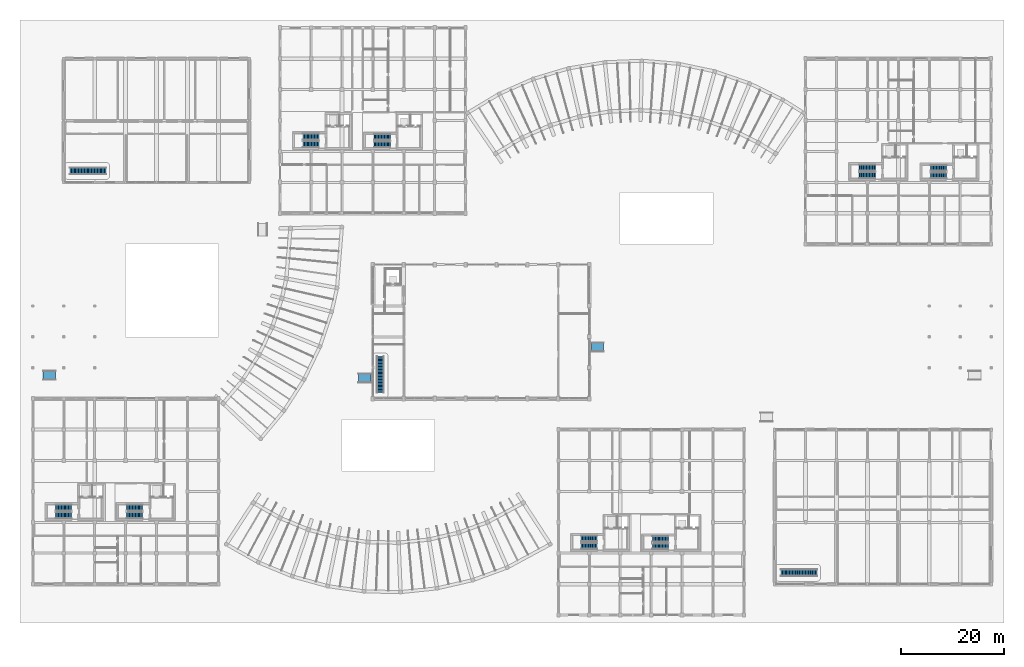
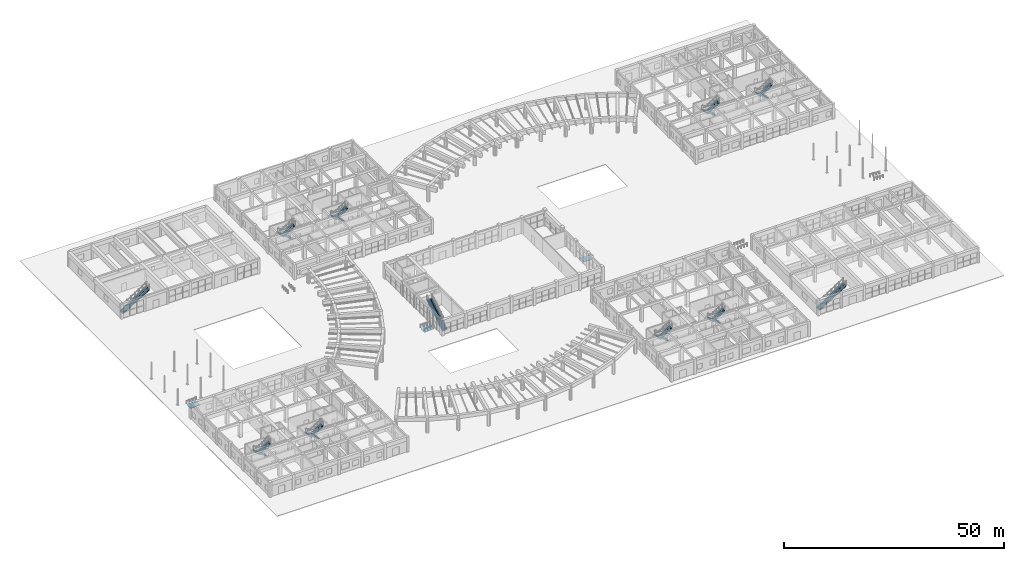
# One storey, part 65 of 76: 19 stair flights, 3 ramp flights, 14 elements without a shape of their own.
"""IFC4 building model written with IfcOpenShell, lengths in metres."""

from ifc_helpers import new_model, si_unit, direction, frame, origin, place, context, subcontext, project, spatial, polyline, outline, extrude, material, type_object, element, aggregate, save


model = new_model("IFC4")

# Units and contexts
model_context = context("Model", 3, precision=1e-05, world=origin(), true_north=direction((0.0, 1.0)))
body_context = subcontext(model_context, "Body", "Model", "MODEL_VIEW")
ifc_project = project(units=[si_unit("LENGTHUNIT", "METRE"), si_unit("AREAUNIT", "SQUARE_METRE"), si_unit("VOLUMEUNIT", "CUBIC_METRE"), si_unit("PLANEANGLEUNIT", "RADIAN"), si_unit("MASSUNIT", "GRAM", prefix="KILO"), si_unit("POWERUNIT", "WATT"), si_unit("THERMODYNAMICTEMPERATUREUNIT", "KELVIN")], contexts=[model_context])

# Site, building, storey
site_placement = place(None, origin())
site = spatial("IfcSite", under=ifc_project, at=site_placement, CompositionType="ELEMENT")
building_placement = place(site_placement, origin())
building = spatial("IfcBuilding", under=site, at=building_placement, Name="Ruvembo Vaulted Housing Court", CompositionType="ELEMENT")
storey_placement = place(building_placement, origin())
storey = spatial("IfcBuildingStorey", under=building, at=storey_placement, Name="L00", CompositionType="ELEMENT", Elevation=0.0)

# Stair, stair flights
ifc_material_1 = material(Name="Concrete C35/45", Category="concrete")
stair_type_1 = type_object("IfcStairType", Name="STR-CORE-1200", PredefinedType="HALF_TURN_STAIR", material=ifc_material_1)
stair_1_placement = place(storey_placement, origin())
stair_1 = element("IfcStair", 1, at=stair_1_placement, inside=storey, type_object=stair_type_1, Name="L00 Protected Exit Stair ST-B2", PredefinedType="HALF_TURN_STAIR")
stair_flight_type_1 = type_object("IfcStairFlightType", Name="SFL-1200", PredefinedType="STRAIGHT", material=ifc_material_1)
stair_flight_1_placement = place(storey_placement, frame((69.35009765625, 92.75, 0.0), z_axis=(0.0, 0.0, 1.0), x_axis=(-1.0, 0.0, 0.0)))
stair_flight_1 = element("IfcStairFlight", 2, at=stair_flight_1_placement, type_object=stair_flight_type_1, Name="ST-B2 flight 1", NumberOfRisers=12, NumberOfTreads=11, PredefinedType="STRAIGHT", RiserHeight=0.1875, TreadLength=0.28, context=body_context, shape_type="SweptSolid", body=[
    extrude(outline(polyline([(-0.02490234375, -0.0400390625), (-0.02490234375, 0.0), (0.0, 0.0), (0.0, 0.1875), (0.280029296875, 0.1875), (0.280029296875, 0.375), (0.56005859375, 0.375), (0.56005859375, 0.5625), (0.840087890625, 0.5625), (0.840087890625, 0.75), (1.1201171875, 0.75), (1.1201171875, 0.9375), (1.39990234375, 0.9375), (1.39990234375, 1.125), (1.679931640625, 1.125), (1.679931640625, 1.3125), (1.9599609375, 1.3125), (1.9599609375, 1.5), (2.239990234375, 1.5), (2.239990234375, 1.6875), (2.52001953125, 1.6875), (2.52001953125, 1.875), (2.800048828125, 1.875), (2.800048828125, 2.0625), (3.080078125, 2.0625), (3.080078125, 2.25), (3.10498046875, 2.25), (3.10498046875, 2.10009765625), (3.080078125, 1.882080078125), (0.26953125, 0.0), (0.0, -0.0400390625), (-0.02490234375, -0.0400390625)])), frame((0.0, 0.60009765625, 0.0), z_axis=(0.0, -1.0, 0.0), x_axis=(1.0, 0.0, 0.0)), (0.0, 0.0, 1.0), 1.199951171875),
])
stair_flight_2_placement = place(storey_placement, frame((66.27001953125, 91.35009765625, 2.25), z_axis=(0.0, 0.0, 1.0), x_axis=(1.0, 0.0, 0.0)))
stair_flight_2 = element("IfcStairFlight", 3, at=stair_flight_2_placement, type_object=stair_flight_type_1, Name="ST-B2 flight 2", NumberOfRisers=12, NumberOfTreads=11, PredefinedType="STRAIGHT", RiserHeight=0.1875, TreadLength=0.28, context=body_context, shape_type="SweptSolid", body=[
    extrude(outline(polyline([(-0.02490234375, -0.0400390625), (-0.02490234375, 0.0), (0.0, 0.0), (0.0, 0.1875), (0.280029296875, 0.1875), (0.280029296875, 0.375), (0.56005859375, 0.375), (0.56005859375, 0.5625), (0.840087890625, 0.5625), (0.840087890625, 0.75), (1.1201171875, 0.75), (1.1201171875, 0.9375), (1.39990234375, 0.9375), (1.39990234375, 1.125), (1.679931640625, 1.125), (1.679931640625, 1.3125), (1.9599609375, 1.3125), (1.9599609375, 1.5), (2.239990234375, 1.5), (2.239990234375, 1.6875), (2.52001953125, 1.6875), (2.52001953125, 1.875), (2.800048828125, 1.875), (2.800048828125, 2.0625), (3.080078125, 2.0625), (3.080078125, 2.25), (3.10498046875, 2.25), (3.10498046875, 2.10009765625), (3.080078125, 1.882080078125), (0.26953125, 0.0), (0.0, -0.0400390625), (-0.02490234375, -0.0400390625)])), frame((0.0, 0.60009765625, 0.0), z_axis=(0.0, -1.0, 0.0), x_axis=(1.0, 0.0, 0.0)), (0.0, 0.0, 1.0), 1.199951171875),
])
aggregate(stair_1, [stair_flight_1, stair_flight_2])

stair_2_placement = place(storey_placement, origin())
stair_2 = element("IfcStair", 4, at=stair_2_placement, inside=storey, type_object=stair_type_1, Name="L00 Protected Exit Stair ST-C2", PredefinedType="HALF_TURN_STAIR")
stair_flight_3_placement = place(storey_placement, frame((123.35009765625, 14.75, 0.0), z_axis=(0.0, 0.0, 1.0), x_axis=(-1.0, 0.0, 0.0)))
stair_flight_3 = element("IfcStairFlight", 5, at=stair_flight_3_placement, type_object=stair_flight_type_1, Name="ST-C2 flight 1", NumberOfRisers=12, NumberOfTreads=11, PredefinedType="STRAIGHT", RiserHeight=0.1875, TreadLength=0.28, context=body_context, shape_type="SweptSolid", body=[
    extrude(outline(polyline([(-0.02490234375, -0.0400390625), (-0.02490234375, 0.0), (0.0, 0.0), (0.0, 0.1875), (0.280029296875, 0.1875), (0.280029296875, 0.375), (0.56005859375, 0.375), (0.56005859375, 0.5625), (0.840087890625, 0.5625), (0.840087890625, 0.75), (1.1201171875, 0.75), (1.1201171875, 0.9375), (1.39990234375, 0.9375), (1.39990234375, 1.125), (1.679931640625, 1.125), (1.679931640625, 1.3125), (1.9599609375, 1.3125), (1.9599609375, 1.5), (2.239990234375, 1.5), (2.239990234375, 1.6875), (2.52001953125, 1.6875), (2.52001953125, 1.875), (2.800048828125, 1.875), (2.800048828125, 2.0625), (3.080078125, 2.0625), (3.080078125, 2.25), (3.10498046875, 2.25), (3.10498046875, 2.10009765625), (3.080078125, 1.882080078125), (0.26953125, 0.0), (0.0, -0.0400390625), (-0.02490234375, -0.0400390625)])), frame((0.0, 0.60009765625, 0.0), z_axis=(0.0, -1.0, 0.0), x_axis=(1.0, 0.0, 0.0)), (0.0, 0.0, 1.0), 1.199951171875),
])
stair_flight_4_placement = place(storey_placement, frame((120.27001953125, 13.35009765625, 2.25), z_axis=(0.0, 0.0, 1.0), x_axis=(1.0, 0.0, 0.0)))
stair_flight_4 = element("IfcStairFlight", 6, at=stair_flight_4_placement, type_object=stair_flight_type_1, Name="ST-C2 flight 2", NumberOfRisers=12, NumberOfTreads=11, PredefinedType="STRAIGHT", RiserHeight=0.1875, TreadLength=0.28, context=body_context, shape_type="SweptSolid", body=[
    extrude(outline(polyline([(-0.02490234375, -0.0400390625), (-0.02490234375, 0.0), (0.0, 0.0), (0.0, 0.1875), (0.280029296875, 0.1875), (0.280029296875, 0.375), (0.56005859375, 0.375), (0.56005859375, 0.5625), (0.840087890625, 0.5625), (0.840087890625, 0.75), (1.1201171875, 0.75), (1.1201171875, 0.9375), (1.39990234375, 0.9375), (1.39990234375, 1.125), (1.679931640625, 1.125), (1.679931640625, 1.3125), (1.9599609375, 1.3125), (1.9599609375, 1.5), (2.239990234375, 1.5), (2.239990234375, 1.6875), (2.52001953125, 1.6875), (2.52001953125, 1.875), (2.800048828125, 1.875), (2.800048828125, 2.0625), (3.080078125, 2.0625), (3.080078125, 2.25), (3.10498046875, 2.25), (3.10498046875, 2.10009765625), (3.080078125, 1.882080078125), (0.26953125, 0.0), (0.0, -0.0400390625), (-0.02490234375, -0.0400390625)])), frame((0.0, 0.60009765625, 0.0), z_axis=(0.0, -1.0, 0.0), x_axis=(1.0, 0.0, 0.0)), (0.0, 0.0, 1.0), 1.199951171875),
])
aggregate(stair_2, [stair_flight_3, stair_flight_4])

stair_3_placement = place(storey_placement, origin())
stair_3 = element("IfcStair", 7, at=stair_3_placement, inside=storey, type_object=stair_type_1, Name="L00 Protected Exit Stair ST-D2", PredefinedType="HALF_TURN_STAIR")
stair_flight_5_placement = place(storey_placement, frame((177.35009765625, 86.75, 0.0), z_axis=(0.0, 0.0, 1.0), x_axis=(-1.0, 0.0, 0.0)))
stair_flight_5 = element("IfcStairFlight", 8, at=stair_flight_5_placement, type_object=stair_flight_type_1, Name="ST-D2 flight 1", NumberOfRisers=12, NumberOfTreads=11, PredefinedType="STRAIGHT", RiserHeight=0.1875, TreadLength=0.28, context=body_context, shape_type="SweptSolid", body=[
    extrude(outline(polyline([(-0.02490234375, -0.0400390625), (-0.02490234375, 0.0), (0.0, 0.0), (0.0, 0.1875), (0.280029296875, 0.1875), (0.280029296875, 0.375), (0.56005859375, 0.375), (0.56005859375, 0.5625), (0.840087890625, 0.5625), (0.840087890625, 0.75), (1.1201171875, 0.75), (1.1201171875, 0.9375), (1.39990234375, 0.9375), (1.39990234375, 1.125), (1.679931640625, 1.125), (1.679931640625, 1.3125), (1.9599609375, 1.3125), (1.9599609375, 1.5), (2.239990234375, 1.5), (2.239990234375, 1.6875), (2.52001953125, 1.6875), (2.52001953125, 1.875), (2.800048828125, 1.875), (2.800048828125, 2.0625), (3.080078125, 2.0625), (3.080078125, 2.25), (3.10498046875, 2.25), (3.10498046875, 2.10009765625), (3.080078125, 1.882080078125), (0.26953125, 0.0), (0.0, -0.0400390625), (-0.02490234375, -0.0400390625)])), frame((0.0, 0.60009765625, 0.0), z_axis=(0.0, -1.0, 0.0), x_axis=(1.0, 0.0, 0.0)), (0.0, 0.0, 1.0), 1.199951171875),
])
stair_flight_6_placement = place(storey_placement, frame((174.27001953125, 85.35009765625, 2.25), z_axis=(0.0, 0.0, 1.0), x_axis=(1.0, 0.0, 0.0)))
stair_flight_6 = element("IfcStairFlight", 9, at=stair_flight_6_placement, type_object=stair_flight_type_1, Name="ST-D2 flight 2", NumberOfRisers=12, NumberOfTreads=11, PredefinedType="STRAIGHT", RiserHeight=0.1875, TreadLength=0.28, context=body_context, shape_type="SweptSolid", body=[
    extrude(outline(polyline([(-0.02490234375, -0.0400390625), (-0.02490234375, 0.0), (0.0, 0.0), (0.0, 0.1875), (0.280029296875, 0.1875), (0.280029296875, 0.375), (0.56005859375, 0.375), (0.56005859375, 0.5625), (0.840087890625, 0.5625), (0.840087890625, 0.75), (1.1201171875, 0.75), (1.1201171875, 0.9375), (1.39990234375, 0.9375), (1.39990234375, 1.125), (1.679931640625, 1.125), (1.679931640625, 1.3125), (1.9599609375, 1.3125), (1.9599609375, 1.5), (2.239990234375, 1.5), (2.239990234375, 1.6875), (2.52001953125, 1.6875), (2.52001953125, 1.875), (2.800048828125, 1.875), (2.800048828125, 2.0625), (3.080078125, 2.0625), (3.080078125, 2.25), (3.10498046875, 2.25), (3.10498046875, 2.10009765625), (3.080078125, 1.882080078125), (0.26953125, 0.0), (0.0, -0.0400390625), (-0.02490234375, -0.0400390625)])), frame((0.0, 0.60009765625, 0.0), z_axis=(0.0, -1.0, 0.0), x_axis=(1.0, 0.0, 0.0)), (0.0, 0.0, 1.0), 1.199951171875),
])
aggregate(stair_3, [stair_flight_5, stair_flight_6])

stair_type_2 = type_object("IfcStairType", Name="STR-CORE-1250", PredefinedType="HALF_TURN_STAIR", material=ifc_material_1)
stair_4_placement = place(storey_placement, origin())
stair_4 = element("IfcStair", 10, at=stair_4_placement, inside=storey, type_object=stair_type_2, Name="L00 Protected Exit Stair ST-A1", PredefinedType="HALF_TURN_STAIR")
stair_flight_type_2 = type_object("IfcStairFlightType", Name="SFL-1250", PredefinedType="STRAIGHT", material=ifc_material_1)
stair_flight_7_placement = place(storey_placement, frame((7.5, 20.824951171875, 0.0), z_axis=(0.0, 0.0, 1.0), x_axis=(-1.0, 0.0, 0.0)))
stair_flight_7 = element("IfcStairFlight", 11, at=stair_flight_7_placement, type_object=stair_flight_type_2, Name="ST-A1 flight 1", NumberOfRisers=12, NumberOfTreads=11, PredefinedType="STRAIGHT", RiserHeight=0.1875, TreadLength=0.28, context=body_context, shape_type="SweptSolid", body=[
    extrude(outline(polyline([(-0.02490234375, -0.0400390625), (-0.02490234375, 0.0), (0.0, 0.0), (0.0, 0.1875), (0.280029296875, 0.1875), (0.280029296875, 0.375), (0.56005859375, 0.375), (0.56005859375, 0.5625), (0.840087890625, 0.5625), (0.840087890625, 0.75), (1.1201171875, 0.75), (1.1201171875, 0.9375), (1.39990234375, 0.9375), (1.39990234375, 1.125), (1.679931640625, 1.125), (1.679931640625, 1.3125), (1.9599609375, 1.3125), (1.9599609375, 1.5), (2.239990234375, 1.5), (2.239990234375, 1.6875), (2.52001953125, 1.6875), (2.52001953125, 1.875), (2.800048828125, 1.875), (2.800048828125, 2.0625), (3.080078125, 2.0625), (3.080078125, 2.25), (3.10498046875, 2.25), (3.10498046875, 2.10009765625), (3.080078125, 1.882080078125), (0.26953125, 0.0), (0.0, -0.0400390625), (-0.02490234375, -0.0400390625)])), frame((0.0, 0.625, 0.0), z_axis=(0.0, -1.0, 0.0), x_axis=(1.0, 0.0, 0.0)), (0.0, 0.0, 1.0), 1.25),
])
stair_flight_8_placement = place(storey_placement, frame((4.419921875, 19.375, 2.25), z_axis=(0.0, 0.0, 1.0), x_axis=(1.0, 0.0, 0.0)))
stair_flight_8 = element("IfcStairFlight", 12, at=stair_flight_8_placement, type_object=stair_flight_type_2, Name="ST-A1 flight 2", NumberOfRisers=12, NumberOfTreads=11, PredefinedType="STRAIGHT", RiserHeight=0.1875, TreadLength=0.28, context=body_context, shape_type="SweptSolid", body=[
    extrude(outline(polyline([(-0.02490234375, -0.0400390625), (-0.02490234375, 0.0), (0.0, 0.0), (0.0, 0.1875), (0.280029296875, 0.1875), (0.280029296875, 0.375), (0.56005859375, 0.375), (0.56005859375, 0.5625), (0.840087890625, 0.5625), (0.840087890625, 0.75), (1.1201171875, 0.75), (1.1201171875, 0.9375), (1.39990234375, 0.9375), (1.39990234375, 1.125), (1.679931640625, 1.125), (1.679931640625, 1.3125), (1.9599609375, 1.3125), (1.9599609375, 1.5), (2.239990234375, 1.5), (2.239990234375, 1.6875), (2.52001953125, 1.6875), (2.52001953125, 1.875), (2.800048828125, 1.875), (2.800048828125, 2.0625), (3.080078125, 2.0625), (3.080078125, 2.25), (3.10498046875, 2.25), (3.10498046875, 2.10009765625), (3.080078125, 1.882080078125), (0.26953125, 0.0), (0.0, -0.0400390625), (-0.02490234375, -0.0400390625)])), frame((0.0, 0.625, 0.0), z_axis=(0.0, -1.0, 0.0), x_axis=(1.0, 0.0, 0.0)), (0.0, 0.0, 1.0), 1.25),
])
aggregate(stair_4, [stair_flight_7, stair_flight_8])

stair_5_placement = place(storey_placement, origin())
stair_5 = element("IfcStair", 13, at=stair_5_placement, inside=storey, type_object=stair_type_2, Name="L00 Protected Exit Stair ST-A2", PredefinedType="HALF_TURN_STAIR")
stair_flight_9_placement = place(storey_placement, frame((21.300048828125, 20.824951171875, 0.0), z_axis=(0.0, 0.0, 1.0), x_axis=(-1.0, 0.0, 0.0)))
stair_flight_9 = element("IfcStairFlight", 14, at=stair_flight_9_placement, type_object=stair_flight_type_2, Name="ST-A2 flight 1", NumberOfRisers=12, NumberOfTreads=11, PredefinedType="STRAIGHT", RiserHeight=0.1875, TreadLength=0.28, context=body_context, shape_type="SweptSolid", body=[
    extrude(outline(polyline([(-0.02490234375, -0.0400390625), (-0.02490234375, 0.0), (0.0, 0.0), (0.0, 0.1875), (0.280029296875, 0.1875), (0.280029296875, 0.375), (0.56005859375, 0.375), (0.56005859375, 0.5625), (0.840087890625, 0.5625), (0.840087890625, 0.75), (1.1201171875, 0.75), (1.1201171875, 0.9375), (1.39990234375, 0.9375), (1.39990234375, 1.125), (1.679931640625, 1.125), (1.679931640625, 1.3125), (1.9599609375, 1.3125), (1.9599609375, 1.5), (2.239990234375, 1.5), (2.239990234375, 1.6875), (2.52001953125, 1.6875), (2.52001953125, 1.875), (2.800048828125, 1.875), (2.800048828125, 2.0625), (3.080078125, 2.0625), (3.080078125, 2.25), (3.10498046875, 2.25), (3.10498046875, 2.10009765625), (3.080078125, 1.882080078125), (0.26953125, 0.0), (0.0, -0.0400390625), (-0.02490234375, -0.0400390625)])), frame((0.0, 0.625, 0.0), z_axis=(0.0, -1.0, 0.0), x_axis=(1.0, 0.0, 0.0)), (0.0, 0.0, 1.0), 1.25),
])
stair_flight_10_placement = place(storey_placement, frame((18.219970703125, 19.375, 2.25), z_axis=(0.0, 0.0, 1.0), x_axis=(1.0, 0.0, 0.0)))
stair_flight_10 = element("IfcStairFlight", 15, at=stair_flight_10_placement, type_object=stair_flight_type_2, Name="ST-A2 flight 2", NumberOfRisers=12, NumberOfTreads=11, PredefinedType="STRAIGHT", RiserHeight=0.1875, TreadLength=0.28, context=body_context, shape_type="SweptSolid", body=[
    extrude(outline(polyline([(-0.02490234375, -0.0400390625), (-0.02490234375, 0.0), (0.0, 0.0), (0.0, 0.1875), (0.280029296875, 0.1875), (0.280029296875, 0.375), (0.56005859375, 0.375), (0.56005859375, 0.5625), (0.840087890625, 0.5625), (0.840087890625, 0.75), (1.1201171875, 0.75), (1.1201171875, 0.9375), (1.39990234375, 0.9375), (1.39990234375, 1.125), (1.679931640625, 1.125), (1.679931640625, 1.3125), (1.9599609375, 1.3125), (1.9599609375, 1.5), (2.239990234375, 1.5), (2.239990234375, 1.6875), (2.52001953125, 1.6875), (2.52001953125, 1.875), (2.800048828125, 1.875), (2.800048828125, 2.0625), (3.080078125, 2.0625), (3.080078125, 2.25), (3.10498046875, 2.25), (3.10498046875, 2.10009765625), (3.080078125, 1.882080078125), (0.26953125, 0.0), (0.0, -0.0400390625), (-0.02490234375, -0.0400390625)])), frame((0.0, 0.625, 0.0), z_axis=(0.0, -1.0, 0.0), x_axis=(1.0, 0.0, 0.0)), (0.0, 0.0, 1.0), 1.25),
])
aggregate(stair_5, [stair_flight_9, stair_flight_10])

stair_6_placement = place(storey_placement, origin())
stair_6 = element("IfcStair", 16, at=stair_6_placement, inside=storey, type_object=stair_type_2, Name="L00 Protected Exit Stair ST-B1", PredefinedType="HALF_TURN_STAIR")
stair_flight_11_placement = place(storey_placement, frame((55.5, 92.824951171875, 0.0), z_axis=(0.0, 0.0, 1.0), x_axis=(-1.0, 0.0, 0.0)))
stair_flight_11 = element("IfcStairFlight", 17, at=stair_flight_11_placement, type_object=stair_flight_type_2, Name="ST-B1 flight 1", NumberOfRisers=12, NumberOfTreads=11, PredefinedType="STRAIGHT", RiserHeight=0.1875, TreadLength=0.28, context=body_context, shape_type="SweptSolid", body=[
    extrude(outline(polyline([(-0.02490234375, -0.0400390625), (-0.02490234375, 0.0), (0.0, 0.0), (0.0, 0.1875), (0.280029296875, 0.1875), (0.280029296875, 0.375), (0.56005859375, 0.375), (0.56005859375, 0.5625), (0.840087890625, 0.5625), (0.840087890625, 0.75), (1.1201171875, 0.75), (1.1201171875, 0.9375), (1.39990234375, 0.9375), (1.39990234375, 1.125), (1.679931640625, 1.125), (1.679931640625, 1.3125), (1.9599609375, 1.3125), (1.9599609375, 1.5), (2.239990234375, 1.5), (2.239990234375, 1.6875), (2.52001953125, 1.6875), (2.52001953125, 1.875), (2.800048828125, 1.875), (2.800048828125, 2.0625), (3.080078125, 2.0625), (3.080078125, 2.25), (3.10498046875, 2.25), (3.10498046875, 2.10009765625), (3.080078125, 1.882080078125), (0.26953125, 0.0), (0.0, -0.0400390625), (-0.02490234375, -0.0400390625)])), frame((0.0, 0.625, 0.0), z_axis=(0.0, -1.0, 0.0), x_axis=(1.0, 0.0, 0.0)), (0.0, 0.0, 1.0), 1.25),
])
stair_flight_12_placement = place(storey_placement, frame((52.419921875, 91.375, 2.25), z_axis=(0.0, 0.0, 1.0), x_axis=(1.0, 0.0, 0.0)))
stair_flight_12 = element("IfcStairFlight", 18, at=stair_flight_12_placement, type_object=stair_flight_type_2, Name="ST-B1 flight 2", NumberOfRisers=12, NumberOfTreads=11, PredefinedType="STRAIGHT", RiserHeight=0.1875, TreadLength=0.28, context=body_context, shape_type="SweptSolid", body=[
    extrude(outline(polyline([(-0.02490234375, -0.0400390625), (-0.02490234375, 0.0), (0.0, 0.0), (0.0, 0.1875), (0.280029296875, 0.1875), (0.280029296875, 0.375), (0.56005859375, 0.375), (0.56005859375, 0.5625), (0.840087890625, 0.5625), (0.840087890625, 0.75), (1.1201171875, 0.75), (1.1201171875, 0.9375), (1.39990234375, 0.9375), (1.39990234375, 1.125), (1.679931640625, 1.125), (1.679931640625, 1.3125), (1.9599609375, 1.3125), (1.9599609375, 1.5), (2.239990234375, 1.5), (2.239990234375, 1.6875), (2.52001953125, 1.6875), (2.52001953125, 1.875), (2.800048828125, 1.875), (2.800048828125, 2.0625), (3.080078125, 2.0625), (3.080078125, 2.25), (3.10498046875, 2.25), (3.10498046875, 2.10009765625), (3.080078125, 1.882080078125), (0.26953125, 0.0), (0.0, -0.0400390625), (-0.02490234375, -0.0400390625)])), frame((0.0, 0.625, 0.0), z_axis=(0.0, -1.0, 0.0), x_axis=(1.0, 0.0, 0.0)), (0.0, 0.0, 1.0), 1.25),
])
aggregate(stair_6, [stair_flight_11, stair_flight_12])

stair_7_placement = place(storey_placement, origin())
stair_7 = element("IfcStair", 19, at=stair_7_placement, inside=storey, type_object=stair_type_2, Name="L00 Protected Exit Stair ST-C1", PredefinedType="HALF_TURN_STAIR")
stair_flight_13_placement = place(storey_placement, frame((109.5, 14.824951171875, 0.0), z_axis=(0.0, 0.0, 1.0), x_axis=(-1.0, 0.0, 0.0)))
stair_flight_13 = element("IfcStairFlight", 20, at=stair_flight_13_placement, type_object=stair_flight_type_2, Name="ST-C1 flight 1", NumberOfRisers=12, NumberOfTreads=11, PredefinedType="STRAIGHT", RiserHeight=0.1875, TreadLength=0.28, context=body_context, shape_type="SweptSolid", body=[
    extrude(outline(polyline([(-0.02490234375, -0.0400390625), (-0.02490234375, 0.0), (0.0, 0.0), (0.0, 0.1875), (0.280029296875, 0.1875), (0.280029296875, 0.375), (0.56005859375, 0.375), (0.56005859375, 0.5625), (0.840087890625, 0.5625), (0.840087890625, 0.75), (1.1201171875, 0.75), (1.1201171875, 0.9375), (1.39990234375, 0.9375), (1.39990234375, 1.125), (1.679931640625, 1.125), (1.679931640625, 1.3125), (1.9599609375, 1.3125), (1.9599609375, 1.5), (2.239990234375, 1.5), (2.239990234375, 1.6875), (2.52001953125, 1.6875), (2.52001953125, 1.875), (2.800048828125, 1.875), (2.800048828125, 2.0625), (3.080078125, 2.0625), (3.080078125, 2.25), (3.10498046875, 2.25), (3.10498046875, 2.10009765625), (3.080078125, 1.882080078125), (0.26953125, 0.0), (0.0, -0.0400390625), (-0.02490234375, -0.0400390625)])), frame((0.0, 0.625, 0.0), z_axis=(0.0, -1.0, 0.0), x_axis=(1.0, 0.0, 0.0)), (0.0, 0.0, 1.0), 1.25),
])
stair_flight_14_placement = place(storey_placement, frame((106.419921875, 13.375, 2.25), z_axis=(0.0, 0.0, 1.0), x_axis=(1.0, 0.0, 0.0)))
stair_flight_14 = element("IfcStairFlight", 21, at=stair_flight_14_placement, type_object=stair_flight_type_2, Name="ST-C1 flight 2", NumberOfRisers=12, NumberOfTreads=11, PredefinedType="STRAIGHT", RiserHeight=0.1875, TreadLength=0.28, context=body_context, shape_type="SweptSolid", body=[
    extrude(outline(polyline([(-0.02490234375, -0.0400390625), (-0.02490234375, 0.0), (0.0, 0.0), (0.0, 0.1875), (0.280029296875, 0.1875), (0.280029296875, 0.375), (0.56005859375, 0.375), (0.56005859375, 0.5625), (0.840087890625, 0.5625), (0.840087890625, 0.75), (1.1201171875, 0.75), (1.1201171875, 0.9375), (1.39990234375, 0.9375), (1.39990234375, 1.125), (1.679931640625, 1.125), (1.679931640625, 1.3125), (1.9599609375, 1.3125), (1.9599609375, 1.5), (2.239990234375, 1.5), (2.239990234375, 1.6875), (2.52001953125, 1.6875), (2.52001953125, 1.875), (2.800048828125, 1.875), (2.800048828125, 2.0625), (3.080078125, 2.0625), (3.080078125, 2.25), (3.10498046875, 2.25), (3.10498046875, 2.10009765625), (3.080078125, 1.882080078125), (0.26953125, 0.0), (0.0, -0.0400390625), (-0.02490234375, -0.0400390625)])), frame((0.0, 0.625, 0.0), z_axis=(0.0, -1.0, 0.0), x_axis=(1.0, 0.0, 0.0)), (0.0, 0.0, 1.0), 1.25),
])
aggregate(stair_7, [stair_flight_13, stair_flight_14])

stair_8_placement = place(storey_placement, origin())
stair_8 = element("IfcStair", 22, at=stair_8_placement, inside=storey, type_object=stair_type_2, Name="L00 Protected Exit Stair ST-D1", PredefinedType="HALF_TURN_STAIR")
stair_flight_15_placement = place(storey_placement, frame((163.5, 86.824951171875, 0.0), z_axis=(0.0, 0.0, 1.0), x_axis=(-1.0, 0.0, 0.0)))
stair_flight_15 = element("IfcStairFlight", 23, at=stair_flight_15_placement, type_object=stair_flight_type_2, Name="ST-D1 flight 1", NumberOfRisers=12, NumberOfTreads=11, PredefinedType="STRAIGHT", RiserHeight=0.1875, TreadLength=0.28, context=body_context, shape_type="SweptSolid", body=[
    extrude(outline(polyline([(-0.02490234375, -0.0400390625), (-0.02490234375, 0.0), (0.0, 0.0), (0.0, 0.1875), (0.280029296875, 0.1875), (0.280029296875, 0.375), (0.56005859375, 0.375), (0.56005859375, 0.5625), (0.840087890625, 0.5625), (0.840087890625, 0.75), (1.1201171875, 0.75), (1.1201171875, 0.9375), (1.39990234375, 0.9375), (1.39990234375, 1.125), (1.679931640625, 1.125), (1.679931640625, 1.3125), (1.9599609375, 1.3125), (1.9599609375, 1.5), (2.239990234375, 1.5), (2.239990234375, 1.6875), (2.52001953125, 1.6875), (2.52001953125, 1.875), (2.800048828125, 1.875), (2.800048828125, 2.0625), (3.080078125, 2.0625), (3.080078125, 2.25), (3.10498046875, 2.25), (3.10498046875, 2.10009765625), (3.080078125, 1.882080078125), (0.26953125, 0.0), (0.0, -0.0400390625), (-0.02490234375, -0.0400390625)])), frame((0.0, 0.625, 0.0), z_axis=(0.0, -1.0, 0.0), x_axis=(1.0, 0.0, 0.0)), (0.0, 0.0, 1.0), 1.25),
])
stair_flight_16_placement = place(storey_placement, frame((160.419921875, 85.375, 2.25), z_axis=(0.0, 0.0, 1.0), x_axis=(1.0, 0.0, 0.0)))
stair_flight_16 = element("IfcStairFlight", 24, at=stair_flight_16_placement, type_object=stair_flight_type_2, Name="ST-D1 flight 2", NumberOfRisers=12, NumberOfTreads=11, PredefinedType="STRAIGHT", RiserHeight=0.1875, TreadLength=0.28, context=body_context, shape_type="SweptSolid", body=[
    extrude(outline(polyline([(-0.02490234375, -0.0400390625), (-0.02490234375, 0.0), (0.0, 0.0), (0.0, 0.1875), (0.280029296875, 0.1875), (0.280029296875, 0.375), (0.56005859375, 0.375), (0.56005859375, 0.5625), (0.840087890625, 0.5625), (0.840087890625, 0.75), (1.1201171875, 0.75), (1.1201171875, 0.9375), (1.39990234375, 0.9375), (1.39990234375, 1.125), (1.679931640625, 1.125), (1.679931640625, 1.3125), (1.9599609375, 1.3125), (1.9599609375, 1.5), (2.239990234375, 1.5), (2.239990234375, 1.6875), (2.52001953125, 1.6875), (2.52001953125, 1.875), (2.800048828125, 1.875), (2.800048828125, 2.0625), (3.080078125, 2.0625), (3.080078125, 2.25), (3.10498046875, 2.25), (3.10498046875, 2.10009765625), (3.080078125, 1.882080078125), (0.26953125, 0.0), (0.0, -0.0400390625), (-0.02490234375, -0.0400390625)])), frame((0.0, 0.625, 0.0), z_axis=(0.0, -1.0, 0.0), x_axis=(1.0, 0.0, 0.0)), (0.0, 0.0, 1.0), 1.25),
])
aggregate(stair_8, [stair_flight_15, stair_flight_16])

# Stair, stair flight
stair_type_3 = type_object("IfcStairType", Name="STR-MEZZ-1400", PredefinedType="STRAIGHT_RUN_STAIR", material=ifc_material_1)
stair_9_placement = place(storey_placement, origin())
stair_9 = element("IfcStair", 25, at=stair_9_placement, inside=storey, type_object=stair_type_3, Name="Community Hall Mezzanine Stair", PredefinedType="STRAIGHT_RUN_STAIR")
stair_flight_type_3 = type_object("IfcStairFlightType", Name="SFL-MEZZ-1400", PredefinedType="STRAIGHT", material=ifc_material_1)
stair_flight_17_placement = place(storey_placement, frame((67.449951171875, 43.199951171875, 0.0), z_axis=(0.0, 0.0, 1.0), x_axis=(0.0, 1.0, 0.0)))
stair_flight_17 = element("IfcStairFlight", 26, at=stair_flight_17_placement, type_object=stair_flight_type_3, Name="ST-HALL-MZ flight 1", NumberOfRisers=26, NumberOfTreads=25, PredefinedType="STRAIGHT", RiserHeight=0.173077, TreadLength=0.28, context=body_context, shape_type="SweptSolid", body=[
    extrude(outline(polyline([(-0.02490234375, -0.0400390625), (-0.02490234375, 0.0), (0.0, 0.0), (0.0, 0.173095703125), (0.280029296875, 0.173095703125), (0.280029296875, 0.34619140625), (0.56005859375, 0.34619140625), (0.56005859375, 0.519287109375), (0.840087890625, 0.519287109375), (0.840087890625, 0.6923828125), (1.1201171875, 0.6923828125), (1.1201171875, 0.865478515625), (1.39990234375, 0.865478515625), (1.39990234375, 1.03857421875), (1.679931640625, 1.03857421875), (1.679931640625, 1.21142578125), (1.9599609375, 1.21142578125), (1.9599609375, 1.384521484375), (2.239990234375, 1.384521484375), (2.239990234375, 1.5576171875), (2.52001953125, 1.5576171875), (2.52001953125, 1.730712890625), (2.800048828125, 1.730712890625), (2.800048828125, 1.90380859375), (3.080078125, 1.90380859375), (3.080078125, 2.076904296875), (3.360107421875, 2.076904296875), (3.360107421875, 2.25), (3.639892578125, 2.25), (3.639892578125, 2.423095703125), (3.919921875, 2.423095703125), (3.919921875, 2.59619140625), (4.199951171875, 2.59619140625), (4.199951171875, 2.769287109375), (4.47998046875, 2.769287109375), (4.47998046875, 2.9423828125), (4.760009765625, 2.9423828125), (4.760009765625, 3.115478515625), (5.0400390625, 3.115478515625), (5.0400390625, 3.28857421875), (5.320068359375, 3.28857421875), (5.320068359375, 3.46142578125), (5.60009765625, 3.46142578125), (5.60009765625, 3.634521484375), (5.8798828125, 3.634521484375), (5.8798828125, 3.8076171875), (6.159912109375, 3.8076171875), (6.159912109375, 3.980712890625), (6.43994140625, 3.980712890625), (6.43994140625, 4.15380859375), (6.719970703125, 4.15380859375), (6.719970703125, 4.326904296875), (7.0, 4.326904296875), (7.0, 4.5), (7.02490234375, 4.5), (7.02490234375, 4.340087890625), (7.0, 4.138916015625), (0.30419921875, 0.0), (0.0, -0.0400390625), (-0.02490234375, -0.0400390625)])), frame((0.0, 0.699951171875, 0.0), z_axis=(0.0, -1.0, 0.0), x_axis=(1.0, 0.0, 0.0)), (0.0, 0.0, 1.0), 1.39990234375),
])
aggregate(stair_9, [stair_flight_17])

stair_10_placement = place(storey_placement, origin())
stair_10 = element("IfcStair", 27, at=stair_10_placement, inside=storey, type_object=stair_type_3, Name="ECD Nursery Mezzanine Stair", PredefinedType="STRAIGHT_RUN_STAIR")
stair_flight_18_placement = place(storey_placement, frame((7.199951171875, 86.199951171875, 0.0), z_axis=(0.0, 0.0, 1.0), x_axis=(1.0, 0.0, 0.0)))
stair_flight_18 = element("IfcStairFlight", 28, at=stair_flight_18_placement, type_object=stair_flight_type_3, Name="ST-NURS-MZ flight 1", NumberOfRisers=26, NumberOfTreads=25, PredefinedType="STRAIGHT", RiserHeight=0.173077, TreadLength=0.28, context=body_context, shape_type="SweptSolid", body=[
    extrude(outline(polyline([(-0.02490234375, -0.0400390625), (-0.02490234375, 0.0), (0.0, 0.0), (0.0, 0.173095703125), (0.280029296875, 0.173095703125), (0.280029296875, 0.34619140625), (0.56005859375, 0.34619140625), (0.56005859375, 0.519287109375), (0.840087890625, 0.519287109375), (0.840087890625, 0.6923828125), (1.1201171875, 0.6923828125), (1.1201171875, 0.865478515625), (1.39990234375, 0.865478515625), (1.39990234375, 1.03857421875), (1.679931640625, 1.03857421875), (1.679931640625, 1.21142578125), (1.9599609375, 1.21142578125), (1.9599609375, 1.384521484375), (2.239990234375, 1.384521484375), (2.239990234375, 1.5576171875), (2.52001953125, 1.5576171875), (2.52001953125, 1.730712890625), (2.800048828125, 1.730712890625), (2.800048828125, 1.90380859375), (3.080078125, 1.90380859375), (3.080078125, 2.076904296875), (3.360107421875, 2.076904296875), (3.360107421875, 2.25), (3.639892578125, 2.25), (3.639892578125, 2.423095703125), (3.919921875, 2.423095703125), (3.919921875, 2.59619140625), (4.199951171875, 2.59619140625), (4.199951171875, 2.769287109375), (4.47998046875, 2.769287109375), (4.47998046875, 2.9423828125), (4.760009765625, 2.9423828125), (4.760009765625, 3.115478515625), (5.0400390625, 3.115478515625), (5.0400390625, 3.28857421875), (5.320068359375, 3.28857421875), (5.320068359375, 3.46142578125), (5.60009765625, 3.46142578125), (5.60009765625, 3.634521484375), (5.8798828125, 3.634521484375), (5.8798828125, 3.8076171875), (6.159912109375, 3.8076171875), (6.159912109375, 3.980712890625), (6.43994140625, 3.980712890625), (6.43994140625, 4.15380859375), (6.719970703125, 4.15380859375), (6.719970703125, 4.326904296875), (7.0, 4.326904296875), (7.0, 4.5), (7.02490234375, 4.5), (7.02490234375, 4.340087890625), (7.0, 4.138916015625), (0.30419921875, 0.0), (0.0, -0.0400390625), (-0.02490234375, -0.0400390625)])), frame((0.0, 0.699951171875, 0.0), z_axis=(0.0, -1.0, 0.0), x_axis=(1.0, 0.0, 0.0)), (0.0, 0.0, 1.0), 1.39990234375),
])
aggregate(stair_10, [stair_flight_18])

stair_11_placement = place(storey_placement, origin())
stair_11 = element("IfcStair", 29, at=stair_11_placement, inside=storey, type_object=stair_type_3, Name="Shops Pavilion Mezzanine Stair", PredefinedType="STRAIGHT_RUN_STAIR")
stair_flight_19_placement = place(storey_placement, frame((145.199951171875, 8.199951171875, 0.0), z_axis=(0.0, 0.0, 1.0), x_axis=(1.0, 0.0, 0.0)))
stair_flight_19 = element("IfcStairFlight", 30, at=stair_flight_19_placement, type_object=stair_flight_type_3, Name="ST-SHOPS-MZ flight 1", NumberOfRisers=26, NumberOfTreads=25, PredefinedType="STRAIGHT", RiserHeight=0.173077, TreadLength=0.28, context=body_context, shape_type="SweptSolid", body=[
    extrude(outline(polyline([(-0.02490234375, -0.0400390625), (-0.02490234375, 0.0), (0.0, 0.0), (0.0, 0.173095703125), (0.280029296875, 0.173095703125), (0.280029296875, 0.34619140625), (0.56005859375, 0.34619140625), (0.56005859375, 0.519287109375), (0.840087890625, 0.519287109375), (0.840087890625, 0.6923828125), (1.1201171875, 0.6923828125), (1.1201171875, 0.865478515625), (1.39990234375, 0.865478515625), (1.39990234375, 1.03857421875), (1.679931640625, 1.03857421875), (1.679931640625, 1.21142578125), (1.9599609375, 1.21142578125), (1.9599609375, 1.384521484375), (2.239990234375, 1.384521484375), (2.239990234375, 1.5576171875), (2.52001953125, 1.5576171875), (2.52001953125, 1.730712890625), (2.800048828125, 1.730712890625), (2.800048828125, 1.90380859375), (3.080078125, 1.90380859375), (3.080078125, 2.076904296875), (3.360107421875, 2.076904296875), (3.360107421875, 2.25), (3.639892578125, 2.25), (3.639892578125, 2.423095703125), (3.919921875, 2.423095703125), (3.919921875, 2.59619140625), (4.199951171875, 2.59619140625), (4.199951171875, 2.769287109375), (4.47998046875, 2.769287109375), (4.47998046875, 2.9423828125), (4.760009765625, 2.9423828125), (4.760009765625, 3.115478515625), (5.0400390625, 3.115478515625), (5.0400390625, 3.28857421875), (5.320068359375, 3.28857421875), (5.320068359375, 3.46142578125), (5.60009765625, 3.46142578125), (5.60009765625, 3.634521484375), (5.8798828125, 3.634521484375), (5.8798828125, 3.8076171875), (6.159912109375, 3.8076171875), (6.159912109375, 3.980712890625), (6.43994140625, 3.980712890625), (6.43994140625, 4.15380859375), (6.719970703125, 4.15380859375), (6.719970703125, 4.326904296875), (7.0, 4.326904296875), (7.0, 4.5), (7.02490234375, 4.5), (7.02490234375, 4.340087890625), (7.0, 4.138916015625), (0.30419921875, 0.0), (0.0, -0.0400390625), (-0.02490234375, -0.0400390625)])), frame((0.0, 0.699951171875, 0.0), z_axis=(0.0, -1.0, 0.0), x_axis=(1.0, 0.0, 0.0)), (0.0, 0.0, 1.0), 1.39990234375),
])
aggregate(stair_11, [stair_flight_19])

# Ramp, ramp flight
ifc_material_2 = material(Name="Concrete C30/37", Category="concrete")
ramp_type = type_object("IfcRampType", Name="RMP-COURT-1TO16", PredefinedType="STRAIGHT_RUN_RAMP", material=ifc_material_2)
ramp_1_placement = place(storey_placement, origin())
ramp_1 = element("IfcRamp", 31, at=ramp_1_placement, inside=storey, type_object=ramp_type, Name="Accessible Courtyard Ramp RMP-01", PredefinedType="STRAIGHT_RUN_RAMP")
ramp_flight_type = type_object("IfcRampFlightType", Name="RMP-FLT-1800", PredefinedType="STRAIGHT", material=ifc_material_2)
ramp_flight_1_placement = place(storey_placement, frame((2.0, 46.5, -0.14990234375), z_axis=(0.0, 0.0, 1.0), x_axis=(1.0, 0.0, 0.0)))
ramp_flight_1 = element("IfcRampFlight", 32, at=ramp_flight_1_placement, type_object=ramp_flight_type, Name="RP1 flight 1", PredefinedType="STRAIGHT", context=body_context, shape_type="SweptSolid", body=[
    extrude(outline(polyline([(0.0, 0.0), (2.39990234375, 0.14990234375), (2.39990234375, -0.030029296875), (0.0, -0.179931640625), (0.0, 0.0)])), frame((0.0, 0.89990234375, 0.0), z_axis=(0.0, -1.0, 0.0), x_axis=(1.0, 0.0, 0.0)), (0.0, 0.0, 1.0), 1.800048828125),
])
aggregate(ramp_1, [ramp_flight_1])

ramp_2_placement = place(storey_placement, origin())
ramp_2 = element("IfcRamp", 33, at=ramp_2_placement, inside=storey, type_object=ramp_type, Name="Accessible Courtyard Ramp RMP-03", PredefinedType="STRAIGHT_RUN_RAMP")
ramp_flight_2_placement = place(storey_placement, frame((63.199951171875, 46.0, -0.14990234375), z_axis=(0.0, 0.0, 1.0), x_axis=(1.0, 0.0, 0.0)))
ramp_flight_2 = element("IfcRampFlight", 34, at=ramp_flight_2_placement, type_object=ramp_flight_type, Name="RP1 flight 1", PredefinedType="STRAIGHT", context=body_context, shape_type="SweptSolid", body=[
    extrude(outline(polyline([(0.0, 0.0), (2.400146484375, 0.14990234375), (2.400146484375, -0.030029296875), (0.0, -0.179931640625), (0.0, 0.0)])), frame((0.0, 0.89990234375, 0.0), z_axis=(0.0, -1.0, 0.0), x_axis=(1.0, 0.0, 0.0)), (0.0, 0.0, 1.0), 1.800048828125),
])
aggregate(ramp_2, [ramp_flight_2])

ramp_3_placement = place(storey_placement, origin())
ramp_3 = element("IfcRamp", 35, at=ramp_3_placement, inside=storey, type_object=ramp_type, Name="Accessible Courtyard Ramp RMP-06", PredefinedType="STRAIGHT_RUN_RAMP")
ramp_flight_3_placement = place(storey_placement, frame((110.800048828125, 52.0, -0.14990234375), z_axis=(0.0, 0.0, 1.0), x_axis=(-1.0, 0.0, 0.0)))
ramp_flight_3 = element("IfcRampFlight", 36, at=ramp_flight_3_placement, type_object=ramp_flight_type, Name="RP1 flight 1", PredefinedType="STRAIGHT", context=body_context, shape_type="SweptSolid", body=[
    extrude(outline(polyline([(0.0, 0.0), (2.400146484375, 0.14990234375), (2.400146484375, -0.030029296875), (0.0, -0.179931640625), (0.0, 0.0)])), frame((0.0, 0.89990234375, 0.0), z_axis=(0.0, -1.0, 0.0), x_axis=(1.0, 0.0, 0.0)), (0.0, 0.0, 1.0), 1.800048828125),
])
aggregate(ramp_3, [ramp_flight_3])

save(model, "model.ifc")
